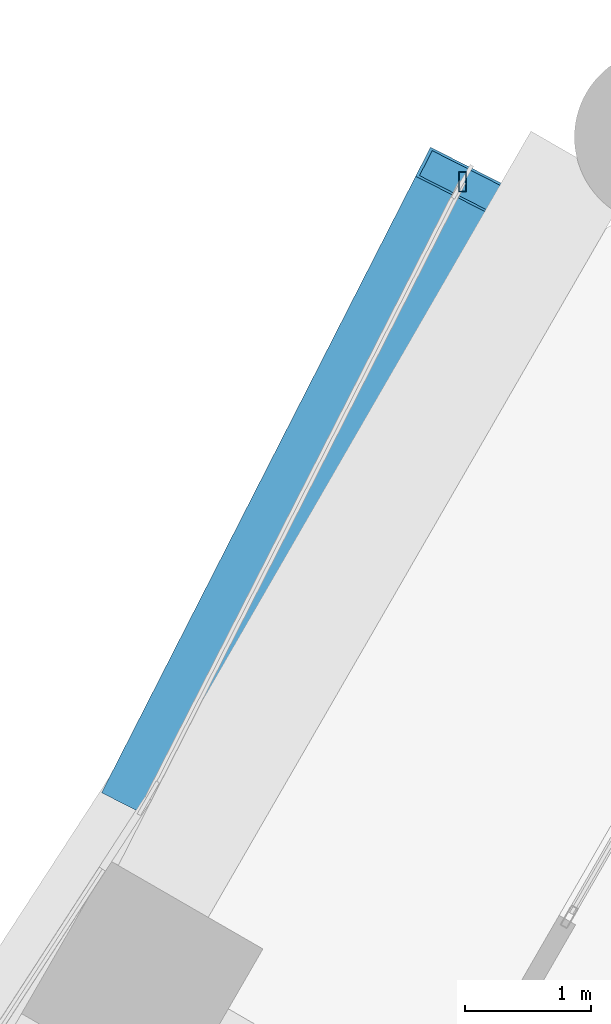
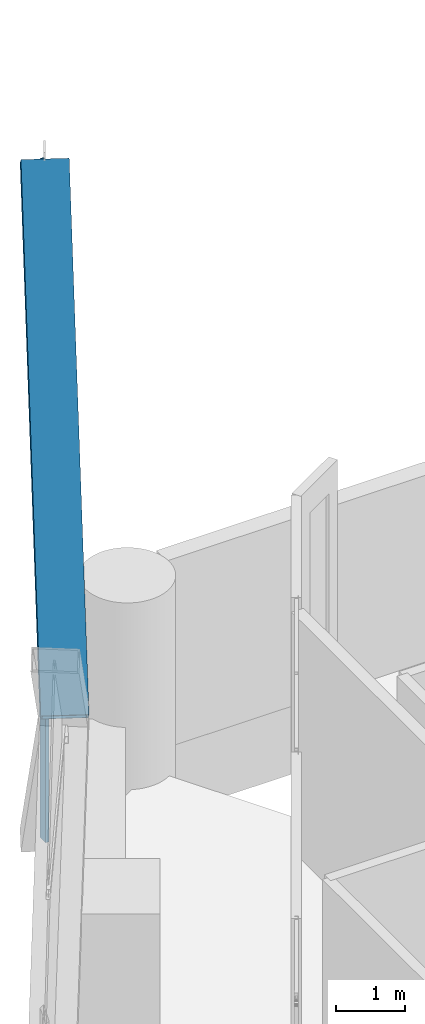
# One storey, part 28 of 46: 3 members, 1 element without a shape of its own.
"""IFC4 building model written with IfcOpenShell, lengths in metres."""

import ifcopenshell
import ifcopenshell.guid

model = None  # the IFC model being written
_history = None  # IfcOwnerHistory: only IFC2X3 demands one
_inside = {}  # id of a spatial element -> (the spatial element, [elements in it])
_under = {}  # id of a project, library or spatial element -> (it, [spatial elements below it])
_declared = {}  # id of a project -> (the project, [libraries it declares])
_typed = {}  # id of a type object -> (the type object, [elements of that type])
_made_of = {}  # id of a material, layer set ... -> (it, [elements and type objects made of it])


def new_model(schema):
    """Start an empty IFC model of exactly this schema.

    Asked for "IFC4X3", IfcOpenShell would pick the latest addendum, in which some entities
    have other attributes; the version numbers below select the first issue.
    IFC2X3 requires an IfcOwnerHistory on every rooted entity: one is made here for all.
    """
    global model, _history
    if schema == "IFC4X3":
        model = ifcopenshell.file(schema_version=(4, 3, 0, 0))
    else:
        model = ifcopenshell.file(schema=schema)
    _inside.clear()
    _under.clear()
    _declared.clear()
    _typed.clear()
    _made_of.clear()
    _history = None
    if model.schema == "IFC2X3":
        org = make("IfcOrganization", Name="unknown")
        user = make(
            "IfcPersonAndOrganization",
            ThePerson=make("IfcPerson", FamilyName="unknown"),
            TheOrganization=org,
        )
        app = make(
            "IfcApplication",
            ApplicationDeveloper=org,
            Version="unknown",
            ApplicationFullName="unknown",
            ApplicationIdentifier="unknown",
        )
        _history = make(
            "IfcOwnerHistory",
            OwningUser=user,
            OwningApplication=app,
            ChangeAction="ADDED",
            CreationDate=0,
        )
    return model


def make(cls, **values):
    """One entity of the class cls with the attributes given. An attribute that is None is left unset."""
    return model.create_entity(
        cls, **{name: value for name, value in values.items() if value is not None}
    )


def rooted(cls, **values):
    """An entity with a GlobalId (a new one), such as an element, a storey or a relation."""
    return make(cls, GlobalId=ifcopenshell.guid.new(), OwnerHistory=_history, **values)


def si_unit(unit_type, name, prefix=None):
    """IfcSIUnit, for example si_unit("LENGTHUNIT", "METRE", prefix="MILLI")."""
    return make("IfcSIUnit", UnitType=unit_type, Prefix=prefix, Name=name)


def assignment(units):
    """IfcUnitAssignment: the units of a project."""
    return None if units is None else make("IfcUnitAssignment", Units=units)


def point(xyz):
    """IfcCartesianPoint."""
    return None if xyz is None else make("IfcCartesianPoint", Coordinates=xyz)


def direction(xyz):
    """IfcDirection."""
    return None if xyz is None else make("IfcDirection", DirectionRatios=xyz)


def frame(location, z_axis=None, x_axis=None):
    """IfcAxis2Placement3D, a coordinate frame: its origin and axes. An axis left out is left unset."""
    return make(
        "IfcAxis2Placement3D",
        Location=point(location),
        Axis=direction(z_axis),
        RefDirection=direction(x_axis),
    )


def frame_2d(location, x_axis=None):
    """IfcAxis2Placement2D, a coordinate frame in the plane: its origin and x axis."""
    return make(
        "IfcAxis2Placement2D", Location=point(location), RefDirection=direction(x_axis)
    )


def origin():
    """The frame at (0, 0, 0) with its axes left unset."""
    return frame((0.0, 0.0, 0.0))


def origin_2d():
    """The frame at (0, 0) in the plane with its x axis left unset."""
    return frame_2d((0.0, 0.0))


def place(relative_to, where):
    """IfcLocalPlacement: puts the frame where relative to a parent placement (None: the world)."""
    return make(
        "IfcLocalPlacement", PlacementRelTo=relative_to, RelativePlacement=where
    )


def context(
    kind, dimensions, precision=None, world=None, true_north=None, identifier=None
):
    """IfcGeometricRepresentationContext, for example the 3D "Model" context."""
    return make(
        "IfcGeometricRepresentationContext",
        ContextIdentifier=identifier,
        ContextType=kind,
        CoordinateSpaceDimension=dimensions,
        Precision=precision,
        WorldCoordinateSystem=world,
        TrueNorth=true_north,
    )


def subcontext(parent, identifier, kind, view, scale=None):
    """IfcGeometricRepresentationSubContext, for example "Body" below "Model"."""
    return make(
        "IfcGeometricRepresentationSubContext",
        ContextIdentifier=identifier,
        ContextType=kind,
        ParentContext=parent,
        TargetScale=scale,
        TargetView=view,
    )


def project(units=None, contexts=None):
    """IfcProject with its units and contexts."""
    return rooted(
        "IfcProject",
        Name="project",
        RepresentationContexts=contexts,
        UnitsInContext=assignment(units),
    )


def spatial(cls, under=None, at=None, **own):
    """A site, building, storey or space (cls), placed at a placement, below another one or the project."""
    s = rooted(cls, ObjectPlacement=at, **own)
    if under is not None:
        _under.setdefault(under.id(), (under, []))[1].append(s)
    return s


def profile(cls, at=None, kind="AREA", **sizes):
    """A parametric profile (cls). Its sizes go by their IFC names, for example OverallWidth=200.0."""
    return make(cls, ProfileType=kind, Position=at, **sizes)


def hollow_rectangle(**sizes):
    """IfcRectangleHollowProfileDef."""
    return profile("IfcRectangleHollowProfileDef", **sizes)


def extrude(swept, where, along, depth):
    """IfcExtrudedAreaSolid: the profile swept, set in the frame where, extruded along a direction by depth."""
    return make(
        "IfcExtrudedAreaSolid",
        SweptArea=swept,
        Position=where,
        ExtrudedDirection=direction(along),
        Depth=depth,
    )


def shape(context_of_items, identifier, shape_type, items):
    """IfcShapeRepresentation: the items that make up one representation, for example the "Body"."""
    return make(
        "IfcShapeRepresentation",
        ContextOfItems=context_of_items,
        RepresentationIdentifier=identifier,
        RepresentationType=shape_type,
        Items=items,
    )


def material(Name=None, Category=None):
    """IfcMaterial."""
    return make("IfcMaterial", Name=Name, Category=Category)


def material_profile(
    of_material, cross_section, Name=None, Category=None, Priority=None
):
    """IfcMaterialProfile: a cross section and its material."""
    return make(
        "IfcMaterialProfile",
        Name=Name,
        Material=of_material,
        Profile=cross_section,
        Priority=Priority,
        Category=Category,
    )


def profile_set(profiles, Name=None, composite=None):
    """IfcMaterialProfileSet."""
    return make(
        "IfcMaterialProfileSet",
        Name=Name,
        MaterialProfiles=profiles,
        CompositeProfile=composite,
    )


def made_of(thing, what):
    """Note that an element or type object is made of a material, layer set ...; save() writes the relation."""
    if what is not None:
        _made_of.setdefault(what.id(), (what, []))[1].append(thing)
    return thing


def type_object(cls, material=None, **own):
    """A type object (cls), such as IfcWallType, which elements share."""
    return made_of(rooted(cls, **own), material)


def element(
    cls,
    number,
    at=None,
    inside=None,
    cuts=None,
    type_object=None,
    material=None,
    context=None,
    identifier="Body",
    shape_type=None,
    held_by="IfcProductDefinitionShape",
    body=None,
    shapes=None,
    **own,
):
    """One element of the class cls, such as IfcWall. Its Tag is "e" and its number.

    at: its placement. inside: the storey or other place that contains it. cuts: it is an
    opening in that element (IfcRelVoidsElement). A single representation is given by context,
    identifier, shape_type and body (its items); several are given by shapes. held_by: the class
    of the entity that holds the representations. save() writes the other relations.
    """
    e = rooted(cls, Tag="e%d" % number, ObjectPlacement=at, **own)
    if body is not None:
        shapes = [shape(context, identifier, shape_type, body)]
    if shapes is not None:
        e.Representation = make(held_by, Representations=shapes)
    if inside is not None:
        _inside.setdefault(inside.id(), (inside, []))[1].append(e)
    if cuts is not None:
        rooted(
            "IfcRelVoidsElement", RelatingBuildingElement=cuts, RelatedOpeningElement=e
        )
    if type_object is not None:
        _typed.setdefault(type_object.id(), (type_object, []))[1].append(e)
    return made_of(e, material)


def aggregate(whole, parts):
    """IfcRelAggregates: a whole, such as a stair, and the parts it consists of."""
    return rooted("IfcRelAggregates", RelatingObject=whole, RelatedObjects=parts)


def save(model, path):
    """Write the relations noted so far, then the file.

    IfcRelAggregates (storeys below a building ...), IfcRelContainedInSpatialStructure (elements
    in a storey), IfcRelDefinesByType, IfcRelAssociatesMaterial and IfcRelDeclares: one each for
    every whole, place, type object, material and project.
    """
    for whole, parts in _under.values():
        aggregate(whole, parts)
    for where, things in _inside.values():
        rooted(
            "IfcRelContainedInSpatialStructure",
            RelatedElements=things,
            RelatingStructure=where,
        )
    for kind, things in _typed.values():
        rooted("IfcRelDefinesByType", RelatedObjects=things, RelatingType=kind)
    for what, things in _made_of.values():
        rooted("IfcRelAssociatesMaterial", RelatedObjects=things, RelatingMaterial=what)
    for by, libraries in _declared.values():
        rooted("IfcRelDeclares", RelatingContext=by, RelatedDefinitions=libraries)
    model.write(path)


model = new_model("IFC4")

# Units and contexts
model_context = context("Model", 3, precision=1e-05, world=origin(), true_north=direction((0.0, 1.0)))
body_context = subcontext(model_context, "Body", "Model", "MODEL_VIEW")
ifc_project = project(units=[si_unit("LENGTHUNIT", "METRE"), si_unit("AREAUNIT", "SQUARE_METRE"), si_unit("VOLUMEUNIT", "CUBIC_METRE"), si_unit("PLANEANGLEUNIT", "RADIAN"), si_unit("MASSUNIT", "GRAM", prefix="KILO")], contexts=[model_context])

# Site, building, storey
site_placement = place(None, origin())
site = spatial("IfcSite", under=ifc_project, at=site_placement, CompositionType="ELEMENT")
building_placement = place(site_placement, origin())
building = spatial("IfcBuilding", under=site, at=building_placement, Name="Ostrander Bayou Hotel Tower", CompositionType="ELEMENT")
storey_placement = place(building_placement, frame((0.0, 0.0, 23.5)))
storey = spatial("IfcBuildingStorey", under=building, at=storey_placement, Name="L05", CompositionType="ELEMENT", Elevation=23.5)

# Curtain wall, members
ifc_material_1 = material(Name="Aluminium and clear glass", Category="aluminium")
curtain_wall_type = type_object("IfcCurtainWallType", Name="CW-LAT lattice glazing", PredefinedType="NOTDEFINED", material=ifc_material_1)
curtain_wall_placement = place(storey_placement, origin())
curtain_wall = element("IfcCurtainWall", 1, at=curtain_wall_placement, inside=storey, type_object=curtain_wall_type, Name="CW-LAT L05 NW 1", PredefinedType="NOTDEFINED")
ifc_material_2 = material(Name="Aluminium", Category="aluminium")
ifc_material_profile_1 = material_profile(ifc_material_2, hollow_rectangle(XDim=0.06005859375, YDim=0.159912109375, WallThickness=0.00390625, at=origin_2d()))
ifc_profile_set_1 = profile_set([ifc_material_profile_1], Name="Aluminium")
member_type_1 = type_object("IfcMemberType", Name="CW-LA mullion 60 x 160 mm", PredefinedType="MULLION", material=ifc_profile_set_1)
member_1_placement = place(storey_placement, frame((-13.637939453125, 20.5185546875, -0.60009765625), z_axis=(0.0, 0.0, 1.0), x_axis=(1.0, 0.0, 0.0)))
member_1 = element("IfcMember", 2, at=member_1_placement, type_object=member_type_1, Name="CW-LAT mullion 1", PredefinedType="MULLION", context=body_context, shape_type="SweptSolid", body=[
    extrude(hollow_rectangle(XDim=0.06005859375, YDim=0.159912109375, WallThickness=0.00390625, at=origin_2d()), origin(), (0.0, 0.0, 1.0), 6.0),
])
member_2_placement = place(storey_placement, frame((-13.637939453125, 20.5185546875, 5.39990234375), z_axis=(0.0, 0.0, 1.0), x_axis=(1.0, 0.0, 0.0)))
member_2 = element("IfcMember", 3, at=member_2_placement, type_object=member_type_1, Name="CW-LAT mullion 2", PredefinedType="MULLION", context=body_context, shape_type="SweptSolid", body=[
    extrude(hollow_rectangle(XDim=0.06005859375, YDim=0.159912109375, WallThickness=0.00390625, at=origin_2d()), origin(), (0.0, 0.0, 1.0), 6.0),
])
aggregate(curtain_wall, [member_1, member_2])

# Member
ifc_material_3 = material(Name="Steel ASTM A572 Gr 50", Category="steel")
ifc_material_profile_2 = material_profile(ifc_material_3, hollow_rectangle(XDim=0.699951171875, YDim=0.35009765625, WallThickness=0.02490234375, at=origin_2d()))
ifc_profile_set_2 = profile_set([ifc_material_profile_2], Name="Steel ASTM A572 Gr 50")
member_type_2 = type_object("IfcMemberType", Name="LT1 lattice member box 700 x 350 x 25 mm", PredefinedType="BRACE", material=ifc_profile_set_2)
member_3_placement = place(storey_placement, frame((-16.126953125, 15.63330078125, 5.39990234375), z_axis=(0.306235162835, 0.60105596943, 0.738208471), x_axis=(-0.891017407703, 0.453969139007, 0.0)))
element("IfcMember", 4, at=member_3_placement, inside=storey, type_object=member_type_2, Name="LT1 L05 NW 2", PredefinedType="BRACE", context=body_context, shape_type="SweptSolid", body=[
    extrude(hollow_rectangle(XDim=0.699951171875, YDim=0.35009765625, WallThickness=0.02490234375, at=origin_2d()), origin(), (0.0, 0.0, 1.0), 8.127685546875),
])

save(model, "model.ifc")
